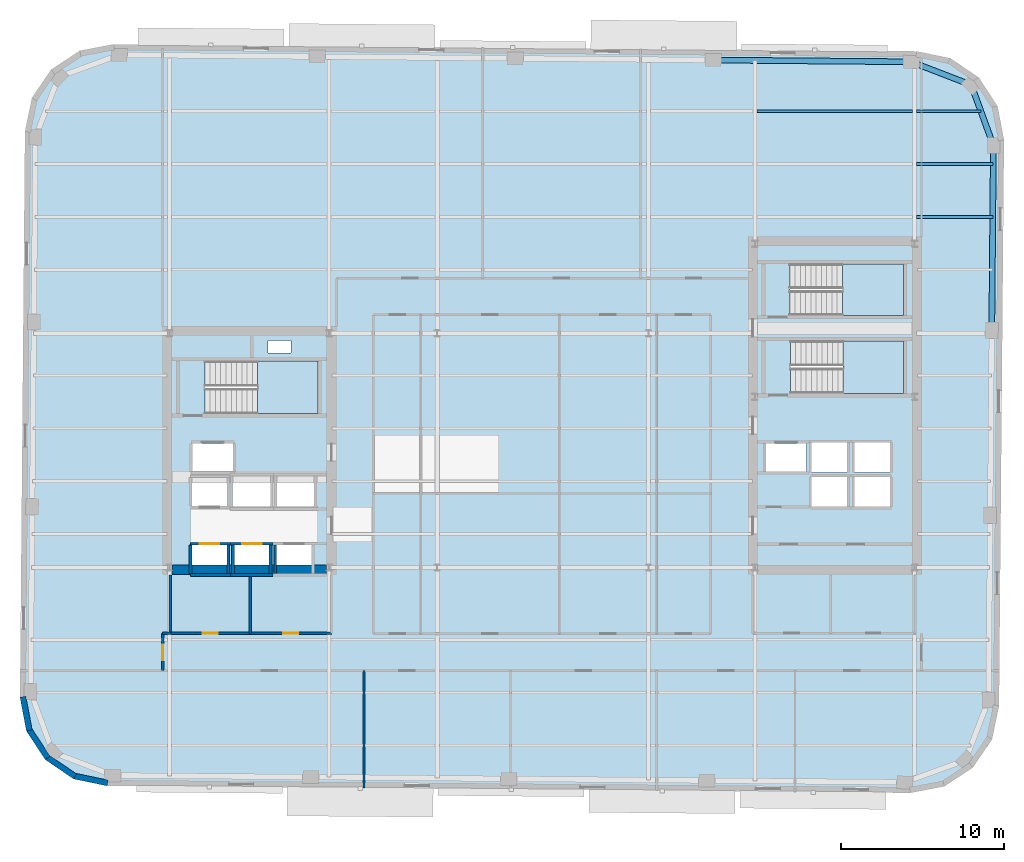
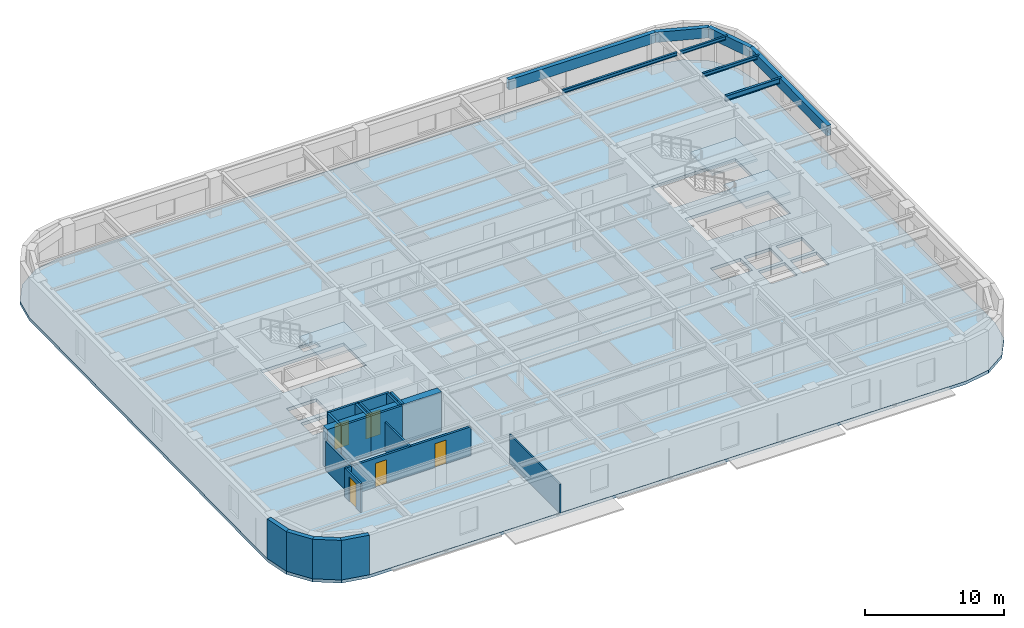
# One storey, part 3 of 11: 20 walls, 8 beams, 5 doors, 4 slabs, 5 openings, 3 elements without a shape of their own.
"""IFC4 building model written with IfcOpenShell, lengths in metres."""

from ifc_helpers import new_model, si_unit, direction, frame, frame_2d, origin, origin_2d, place, context, subcontext, project, spatial, polyline, rectangle, hollow_rectangle, i_section, outline, extrude, material, layer, layer_set, material_profile, profile_set, type_object, element, fill, aggregate, save


model = new_model("IFC4")

# Units and contexts
model_context = context("Model", 3, precision=1e-05, world=origin(), true_north=direction((0.0, 1.0)))
body_context = subcontext(model_context, "Body", "Model", "MODEL_VIEW")
ifc_project = project(units=[si_unit("LENGTHUNIT", "METRE"), si_unit("AREAUNIT", "SQUARE_METRE"), si_unit("VOLUMEUNIT", "CUBIC_METRE"), si_unit("PLANEANGLEUNIT", "RADIAN"), si_unit("MASSUNIT", "GRAM", prefix="KILO")], contexts=[model_context])

# Site, building, storey
site_placement = place(None, origin())
site = spatial("IfcSite", under=ifc_project, at=site_placement, CompositionType="ELEMENT")
building_placement = place(site_placement, origin())
building = spatial("IfcBuilding", under=site, at=building_placement, Name="Kolvaren Arena Tower", CompositionType="ELEMENT")
storey_placement = place(building_placement, frame((0.0, 0.0, 173.449951171875)))
storey = spatial("IfcBuildingStorey", under=building, at=storey_placement, Name="L41", CompositionType="ELEMENT", Elevation=173.449951171875)

# Beams
ifc_material_1 = material(Name="Steel CSA G40.21 350W", Category="steel")
ifc_material_profile_1 = material_profile(ifc_material_1, i_section(OverallWidth=0.193115234375, OverallDepth=0.462890625, WebThickness=0.0107421875, FlangeThickness=0.0205078125, FilletRadius=0.012939453125, at=origin_2d()), Name="W460x113")
ifc_profile_set_1 = profile_set([ifc_material_profile_1], Name="Steel CSA G40.21 350W")
beam_type_1 = type_object("IfcBeamType", Name="BEAM-F2", PredefinedType="BEAM", material=ifc_profile_set_1)
beam_1_placement = place(storey_placement, frame((60.4775390625, 41.0, 3.24853515625), z_axis=(1.0, 0.0, 0.0), x_axis=(0.0, 1.0, 0.0)))
element("IfcBeam", 1, at=beam_1_placement, inside=storey, type_object=beam_type_1, Name="Composite Floor Beam (L41)", PredefinedType="BEAM", context=body_context, shape_type="SweptSolid", body=[
    extrude(i_section(OverallWidth=0.193115234375, OverallDepth=0.462890625, WebThickness=0.0107421875, FlangeThickness=0.0205078125, FilletRadius=0.012939453125, at=origin_2d()), origin(), (0.0, 0.0, 1.0), 4.681884765625),
])
ifc_material_profile_2 = material_profile(ifc_material_1, i_section(OverallWidth=0.1669921875, OverallDepth=0.31689453125, WebThickness=0.007568359375, FlangeThickness=0.01318359375, FilletRadius=0.010009765625, at=origin_2d()), Name="W310x52")
ifc_profile_set_2 = profile_set([ifc_material_profile_2], Name="Steel CSA G40.21 350W")
beam_type_2 = type_object("IfcBeamType", Name="JOIST-02", PredefinedType="JOIST", material=ifc_profile_set_2)
beam_2_placement = place(storey_placement, frame((60.4775390625, 44.25, 3.321533203125), z_axis=(1.0, 0.0, 0.0), x_axis=(0.0, 1.0, 0.0)))
element("IfcBeam", 2, at=beam_2_placement, inside=storey, type_object=beam_type_2, Name="Composite Floor Joist (L41)", PredefinedType="JOIST", context=body_context, shape_type="SweptSolid", body=[
    extrude(i_section(OverallWidth=0.1669921875, OverallDepth=0.31689453125, WebThickness=0.007568359375, FlangeThickness=0.01318359375, FilletRadius=0.010009765625, at=origin_2d()), origin(), (0.0, 0.0, 1.0), 4.710205078125),
])
beam_3_placement = place(storey_placement, frame((50.677490234375, 47.5, 3.321533203125), z_axis=(1.0, 0.0, 0.0), x_axis=(0.0, 1.0, 0.0)))
element("IfcBeam", 3, at=beam_3_placement, inside=storey, type_object=beam_type_2, Name="Composite Floor Joist (L41)", PredefinedType="JOIST", context=body_context, shape_type="SweptSolid", body=[
    extrude(i_section(OverallWidth=0.1669921875, OverallDepth=0.31689453125, WebThickness=0.007568359375, FlangeThickness=0.01318359375, FilletRadius=0.010009765625, at=origin_2d()), origin(), (0.0, 0.0, 1.0), 9.544921875),
])
beam_4_placement = place(storey_placement, frame((60.4775390625, 47.5, 3.321533203125), z_axis=(1.0, 0.0, 0.0), x_axis=(0.0, 1.0, 0.0)))
element("IfcBeam", 4, at=beam_4_placement, inside=storey, type_object=beam_type_2, Name="Composite Floor Joist (L41)", PredefinedType="JOIST", context=body_context, shape_type="SweptSolid", body=[
    extrude(i_section(OverallWidth=0.1669921875, OverallDepth=0.31689453125, WebThickness=0.007568359375, FlangeThickness=0.01318359375, FilletRadius=0.010009765625, at=origin_2d()), origin(), (0.0, 0.0, 1.0), 3.950439453125),
])
ifc_material_2 = material(Name="Steel CSA G40.21 350WT", Category="steel")
ifc_material_profile_3 = material_profile(ifc_material_2, hollow_rectangle(XDim=0.35009765625, YDim=0.89990234375, WallThickness=0.02001953125, at=origin_2d()), Name="HSS 900x350x20")
ifc_profile_set_3 = profile_set([ifc_material_profile_3], Name="Steel CSA G40.21 350WT")
beam_type_3 = type_object("IfcBeamType", Name="SPAND-01", PredefinedType="SPANDREL", material=ifc_profile_set_3)
beam_5_placement = place(storey_placement, frame((65.098388671875, 34.026123046875, 3.030029296875), z_axis=(0.008741825937, 0.99996178951, 0.0), x_axis=(-0.99996178951, 0.008741825937, 0.0)))
element("IfcBeam", 5, at=beam_5_placement, inside=storey, type_object=beam_type_3, Name="Perimeter Spandrel Beam (L41)", PredefinedType="SPANDREL", context=body_context, shape_type="SweptSolid", body=[
    extrude(hollow_rectangle(XDim=0.35009765625, YDim=0.89990234375, WallThickness=0.02001953125, at=origin_2d()), origin(), (0.0, 0.0, 1.0), 11.36669921875),
])
for number, where, z_axis, x_axis, name in (
    (6, (65.19775390625, 45.392333984375, 3.030029296875), (-0.343059102458, 0.939313819882, 0.0), (-0.939313819882, -0.343059102458, 0.0), "Perimeter Spandrel Beam (L41)"),
    (7, (63.8388671875, 49.113037109375, 3.030029296875), (-0.933189846698, 0.359383792094, 0.0), (-0.359383792094, -0.933189846698, 0.0), "Perimeter Spandrel Beam (L41)"),
):
    element("IfcBeam", number, at=place(storey_placement, frame(where, z_axis=z_axis, x_axis=x_axis)), inside=storey, type_object=beam_type_3, Name=name, PredefinedType="SPANDREL", context=body_context, shape_type="SweptSolid", body=[
        extrude(hollow_rectangle(XDim=0.35009765625, YDim=0.89990234375, WallThickness=0.02001953125, at=origin_2d()), origin(), (0.0, 0.0, 1.0), 3.961181640625),
    ])
beam_6_placement = place(storey_placement, frame((60.142333984375, 50.53662109375, 3.030029296875), z_axis=(-0.99996195503, 0.008722871848, 0.0), x_axis=(-0.008722871848, -0.99996195503, 0.0)))
element("IfcBeam", 8, at=beam_6_placement, inside=storey, type_object=beam_type_3, Name="Perimeter Spandrel Beam (L41)", PredefinedType="SPANDREL", context=body_context, shape_type="SweptSolid", body=[
    extrude(hollow_rectangle(XDim=0.35009765625, YDim=0.89990234375, WallThickness=0.02001953125, at=origin_2d()), origin(), (0.0, 0.0, 1.0), 12.175048828125),
])

# Stair, slab
ifc_material_3 = material(Name="Concrete 45 MPa", Category="concrete")
stair_type_1 = type_object("IfcStairType", Name="STAIR-CORE-165", PredefinedType="HALF_TURN_STAIR", material=ifc_material_3)
stair_1_placement = place(storey_placement, origin())
stair_1 = element("IfcStair", 9, at=stair_1_placement, inside=storey, type_object=stair_type_1, Name="L41 ST-W1", PredefinedType="HALF_TURN_STAIR")
ifc_layer_1 = layer(ifc_material_3, 0.199951171875)
ifc_layer_set_1 = layer_set([ifc_layer_1], Name="Concrete 45 MPa")
slab_type_1 = type_object("IfcSlabType", Name="SLAB-LAND", PredefinedType="LANDING", material=ifc_layer_set_1)
slab_1_placement = place(storey_placement, frame((0.0, 0.0, 1.675048828125)))
slab_1 = element("IfcSlab", 10, at=slab_1_placement, type_object=slab_type_1, Name="ST-W1 landing 1", PredefinedType="LANDING", context=body_context, shape_type="SweptSolid", body=[
    extrude(outline(polyline([(19.9599609375, 28.89990234375), (23.659912109375, 28.89990234375), (23.659912109375, 32.1298828125), (19.9599609375, 32.1298828125), (19.9599609375, 28.89990234375)])), origin(), (0.0, 0.0, 1.0), 0.199951171875),
])
aggregate(stair_1, [slab_1])

stair_2_placement = place(storey_placement, origin())
stair_2 = element("IfcStair", 11, at=stair_2_placement, inside=storey, type_object=stair_type_1, Name="L41 ST-E1", PredefinedType="HALF_TURN_STAIR")
slab_2_placement = place(storey_placement, frame((0.0, 0.0, 1.675048828125)))
slab_2 = element("IfcSlab", 12, at=slab_2_placement, type_object=slab_type_1, Name="ST-E1 landing 1", PredefinedType="LANDING", context=body_context, shape_type="SweptSolid", body=[
    extrude(outline(polyline([(55.9599609375, 30.14990234375), (59.659912109375, 30.14990234375), (59.659912109375, 33.3798828125), (55.9599609375, 33.3798828125), (55.9599609375, 30.14990234375)])), origin(), (0.0, 0.0, 1.0), 0.199951171875),
])
aggregate(stair_2, [slab_2])

stair_type_2 = type_object("IfcStairType", Name="STAIR-CORE-150", PredefinedType="HALF_TURN_STAIR", material=ifc_material_3)
stair_3_placement = place(storey_placement, origin())
stair_3 = element("IfcStair", 13, at=stair_3_placement, inside=storey, type_object=stair_type_2, Name="L41 ST-E2", PredefinedType="HALF_TURN_STAIR")
slab_3_placement = place(storey_placement, frame((0.0, 0.0, 1.675048828125)))
slab_3 = element("IfcSlab", 14, at=slab_3_placement, type_object=slab_type_1, Name="ST-E2 landing 1", PredefinedType="LANDING", context=body_context, shape_type="SweptSolid", body=[
    extrude(outline(polyline([(55.919921875, 34.949951171875), (59.659912109375, 34.949951171875), (59.659912109375, 38.10009765625), (55.919921875, 38.10009765625), (55.919921875, 34.949951171875)])), origin(), (0.0, 0.0, 1.0), 0.199951171875),
])
aggregate(stair_3, [slab_3])

# Slab
ifc_layer_2 = layer(ifc_material_3, 0.27001953125)
ifc_layer_set_2 = layer_set([ifc_layer_2], Name="Concrete 45 MPa")
slab_type_2 = type_object("IfcSlabType", Name="SLAB-OFF2", PredefinedType="FLOOR", material=ifc_layer_set_2)
slab_4_placement = place(storey_placement, frame((0.0, 0.0, -0.27001953125)))
element("IfcSlab", 15, at=slab_4_placement, inside=storey, type_object=slab_type_2, Name="L41 Primary Structural Slab", PredefinedType="FLOOR", context=body_context, shape_type="SweptSolid", body=[
    extrude(outline(polyline([(60.10009765625, 5.585205078125), (62.170166015625, 5.978271484375), (63.93212890625, 7.133544921875), (65.117919921875, 8.875244140625), (65.547119140625, 10.93798828125), (65.8505859375, 45.73681640625), (65.457763671875, 47.806640625), (64.302490234375, 49.568603515625), (62.560791015625, 50.75439453125), (60.498046875, 51.18359375), (11.099853515625, 51.61474609375), (9.02978515625, 51.2216796875), (7.267822265625, 50.06640625), (6.08203125, 48.32470703125), (5.653076171875, 46.261962890625), (5.349365234375, 11.46337890625), (5.7421875, 9.393310546875), (6.8974609375, 7.63134765625), (8.63916015625, 6.445556640625), (10.701904296875, 6.016357421875), (60.10009765625, 5.585205078125)]), holes=[polyline([(15.93505859375, 19.0849609375), (15.93505859375, 20.81494140625), (18.06494140625, 20.81494140625), (18.06494140625, 19.0849609375), (15.93505859375, 19.0849609375)]), polyline([(18.534912109375, 19.0849609375), (18.534912109375, 20.81494140625), (20.6650390625, 20.81494140625), (20.6650390625, 19.0849609375), (18.534912109375, 19.0849609375)]), polyline([(21.135009765625, 19.0849609375), (21.135009765625, 20.81494140625), (23.264892578125, 20.81494140625), (23.264892578125, 19.0849609375), (21.135009765625, 19.0849609375)]), polyline([(18.4599609375, 23.135009765625), (18.4599609375, 25.06494140625), (20.739990234375, 25.06494140625), (20.739990234375, 23.135009765625), (18.4599609375, 23.135009765625)]), polyline([(21.159912109375, 23.135009765625), (21.159912109375, 25.06494140625), (23.43994140625, 25.06494140625), (23.43994140625, 23.135009765625), (21.159912109375, 23.135009765625)]), polyline([(54.030029296875, 23.18505859375), (54.030029296875, 25.014892578125), (56.2099609375, 25.014892578125), (56.2099609375, 23.18505859375), (54.030029296875, 23.18505859375)]), polyline([(56.669921875, 23.18505859375), (56.669921875, 25.014892578125), (58.85009765625, 25.014892578125), (58.85009765625, 23.18505859375), (56.669921875, 23.18505859375)]), polyline([(15.93505859375, 23.235107421875), (15.93505859375, 24.965087890625), (18.06494140625, 24.965087890625), (18.06494140625, 23.235107421875), (15.93505859375, 23.235107421875)]), polyline([(54.030029296875, 25.284912109375), (54.030029296875, 27.114990234375), (56.2099609375, 27.114990234375), (56.2099609375, 25.284912109375), (54.030029296875, 25.284912109375)]), polyline([(56.669921875, 25.284912109375), (56.669921875, 27.114990234375), (58.85009765625, 27.114990234375), (58.85009765625, 25.284912109375), (56.669921875, 25.284912109375)]), polyline([(15.9599609375, 25.3349609375), (15.9599609375, 27.06494140625), (18.43994140625, 27.06494140625), (18.43994140625, 25.3349609375), (15.9599609375, 25.3349609375)]), polyline([(51.219970703125, 25.3349609375), (51.219970703125, 27.06494140625), (53.699951171875, 27.06494140625), (53.699951171875, 25.3349609375), (51.219970703125, 25.3349609375)]), polyline([(16.735107421875, 28.89990234375), (16.735107421875, 32.1298828125), (23.659912109375, 32.1298828125), (23.659912109375, 28.89990234375), (16.735107421875, 28.89990234375)]), polyline([(52.735107421875, 30.14990234375), (52.735107421875, 33.3798828125), (59.659912109375, 33.3798828125), (59.659912109375, 30.14990234375), (52.735107421875, 30.14990234375)]), polyline([(20.60009765625, 32.6201171875), (20.60009765625, 33.39990234375), (22.0, 33.39990234375), (22.0, 32.6201171875), (20.60009765625, 32.6201171875)]), polyline([(52.695068359375, 34.949951171875), (52.695068359375, 38.10009765625), (59.659912109375, 38.10009765625), (59.659912109375, 34.949951171875), (52.695068359375, 34.949951171875)])]), origin(), (0.0, 0.0, 1.0), 0.27001953125),
])

# Wall, opening, door
ifc_material_4 = material(Name="Gypsum board acoustic assembly", Category="gypsum")
ifc_layer_3 = layer(ifc_material_4, 0.159912109375)
ifc_layer_set_3 = layer_set([ifc_layer_3], Name="Gypsum board acoustic assembly")
wall_type_1 = type_object("IfcWallType", Name="CORR-160", PredefinedType="PARTITIONING", material=ifc_layer_set_3)
wall_1_placement = place(storey_placement, frame((14.1201171875, 13.10009765625, 0.0), z_axis=(0.0, 0.0, 1.0), x_axis=(0.0, 1.0, 0.0)))
wall_1 = element("IfcWall", 16, at=wall_1_placement, inside=storey, type_object=wall_type_1, Name="Interior Partition Wall (L41)", PredefinedType="PARTITIONING", context=body_context, shape_type="SweptSolid", body=[
    extrude(rectangle(XDim=2.2998046875, YDim=0.159912109375, at=frame_2d((1.14990234375, 0.0))), origin(), (0.0, 0.0, 1.0), 2.5400390625),
])
opening_1_placement = place(wall_1_placement, frame((0.64990234375, 0.0, 0.0)))
opening_1 = element("IfcOpeningElement", 17, at=opening_1_placement, cuts=wall_1, Name="Opening D05", PredefinedType="OPENING", context=body_context, shape_type="SweptSolid", body=[
    extrude(rectangle(XDim=0.949951171875, YDim=2.14990234375, at=frame_2d((0.47509765625, 1.074951171875))), frame((0.0, 0.08984375, 0.0), z_axis=(0.0, -1.0, 0.0), x_axis=(1.0, 0.0, 0.0)), (0.0, 0.0, 1.0), 0.179931640625),
])
ifc_material_5 = material(Name="Solid-core oak acoustic office door", Category="wood")
door_type_1 = type_object("IfcDoorType", Name="DOOR-OF-095", OperationType="NOTDEFINED", PredefinedType="DOOR", material=ifc_material_5)
door_1_placement = place(opening_1_placement, origin())
door_1 = element("IfcDoor", 18, at=door_1_placement, inside=storey, type_object=door_type_1, Name="West Wing Office Door (L41)", OperationType="SINGLE_SWING_LEFT", OverallHeight=2.14990234375, OverallWidth=0.949951171875, PredefinedType="DOOR", context=body_context, shape_type="SweptSolid", body=[
    extrude(rectangle(XDim=0.949951171875, YDim=2.14990234375, at=frame_2d((0.47509765625, 1.074951171875))), frame((0.0, 0.02490234375, 0.0), z_axis=(0.0, -1.0, 0.0), x_axis=(1.0, 0.0, 0.0)), (0.0, 0.0, 1.0), 0.050048828125),
])
fill(opening_1, door_1)

# Walls
wall_2_placement = place(storey_placement, frame((14.1201171875, 15.39990234375, 0.0), z_axis=(0.0, 0.0, 1.0), x_axis=(1.0, 0.0, 0.0)))
element("IfcWall", 19, at=wall_2_placement, inside=storey, type_object=wall_type_1, Name="Interior Partition Wall (L41)", PredefinedType="PARTITIONING", context=body_context, shape_type="SweptSolid", body=[
    extrude(rectangle(XDim=0.5, YDim=0.159912109375, at=frame_2d((0.25, 0.0))), origin(), (0.0, 0.0, 1.0), 2.5400390625),
])
ifc_material_6 = material(Name="Concrete 60 MPa", Category="concrete")
ifc_layer_4 = layer(ifc_material_6, 0.60009765625)
ifc_layer_set_4 = layer_set([ifc_layer_4], Name="Concrete 60 MPa")
wall_type_2 = type_object("IfcWallType", Name="CWALL-600", PredefinedType="SHEAR", material=ifc_layer_set_4)
wall_3_placement = place(storey_placement, frame((14.699951171875, 19.300048828125, -0.27001953125), z_axis=(0.0, 0.0, 1.0), x_axis=(1.0, 0.0, 0.0)))
element("IfcWall", 20, at=wall_3_placement, inside=storey, type_object=wall_type_2, Name="Core Shear Wall WC-SOUTH (L41)", PredefinedType="SHEAR", context=body_context, shape_type="SweptSolid", body=[
    extrude(rectangle(XDim=9.5, YDim=0.60009765625, at=frame_2d((4.75, 0.0))), origin(), (0.0, 0.0, 1.0), 3.75),
])
ifc_material_7 = material(Name="Precast concrete C50/60", Category="concrete")
ifc_layer_5 = layer(ifc_material_7, 0.360107421875)
ifc_layer_set_5 = layer_set([ifc_layer_5], Name="Precast concrete C50/60")
wall_type_3 = type_object("IfcWallType", Name="EXT-PIER2", PredefinedType="SOLIDWALL", material=ifc_layer_set_5)
for number, where, z_axis, x_axis, name in (
    (21, (5.919189453125, 9.427001953125, 0.0), (0.0, 0.0, 1.0), (-0.186568933123, 0.982441872679, 0.0), "Exterior Precast Masonry-Frame Wall (L41)"),
    (22, (7.048095703125, 7.72998046875, 0.0), (0.0, 0.0, 1.0), (-0.548319766745, 0.836268756678, 0.0), "Exterior Precast Masonry-Frame Wall (L41)"),
    (23, (8.740478515625, 6.59423828125, 0.0), (0.0, 0.0, 1.0), (-0.826609569219, 0.56277581689, 0.0), "Exterior Precast Masonry-Frame Wall (L41)"),
):
    element("IfcWall", number, at=place(storey_placement, frame(where, z_axis=z_axis, x_axis=x_axis)), inside=storey, type_object=wall_type_3, Name=name, PredefinedType="SOLIDWALL", context=body_context, shape_type="SweptSolid", body=[
        extrude(rectangle(XDim=2.10693359375, YDim=0.360107421875, at=frame_2d((1.053466796875, 0.0))), origin(), (0.0, 0.0, 1.0), 3.47998046875),
    ])
wall_4_placement = place(storey_placement, frame((10.73876953125, 6.192626953125, 0.0), z_axis=(0.0, 0.0, 1.0), x_axis=(-0.979059388908, 0.203574833883, 0.0)))
element("IfcWall", 24, at=wall_4_placement, inside=storey, type_object=wall_type_3, Name="Exterior Precast Masonry-Frame Wall (L41)", PredefinedType="SOLIDWALL", context=body_context, shape_type="SweptSolid", body=[
    extrude(rectangle(XDim=2.107177734375, YDim=0.360107421875, at=frame_2d((1.0537109375, 0.0))), origin(), (0.0, 0.0, 1.0), 3.47998046875),
])
ifc_material_8 = material(Name="Gypsum board partition assembly", Category="gypsum")
ifc_layer_6 = layer(ifc_material_8, 0.135009765625)
ifc_layer_set_6 = layer_set([ifc_layer_6], Name="Gypsum board partition assembly")
wall_type_4 = type_object("IfcWallType", Name="PART-135", PredefinedType="PARTITIONING", material=ifc_layer_set_6)
wall_5_placement = place(storey_placement, frame((26.5, 5.87841796875, 0.0), z_axis=(0.0, 0.0, 1.0), x_axis=(0.0, 1.0, 0.0)))
element("IfcWall", 25, at=wall_5_placement, inside=storey, type_object=wall_type_4, Name="Interior Partition Wall (L41)", PredefinedType="PARTITIONING", context=body_context, shape_type="SweptSolid", body=[
    extrude(rectangle(XDim=7.2216796875, YDim=0.135009765625, at=frame_2d((3.61083984375, 0.0))), origin(), (0.0, 0.0, 1.0), 2.5400390625),
])

# Wall, opening, door
ifc_layer_7 = layer(ifc_material_3, 0.25)
ifc_layer_set_7 = layer_set([ifc_layer_7], Name="Concrete 45 MPa")
wall_type_5 = type_object("IfcWallType", Name="SHAFT-250", PredefinedType="SOLIDWALL", material=ifc_layer_set_7)
wall_6_placement = place(storey_placement, frame((15.844970703125, 20.905029296875, 0.0), z_axis=(0.0, 0.0, 1.0), x_axis=(1.0, 0.0, 0.0)))
wall_6 = element("IfcWall", 26, at=wall_6_placement, inside=storey, type_object=wall_type_5, Name="Core Shaft Wall (L41)", PredefinedType="SOLIDWALL", context=body_context, shape_type="SweptSolid", body=[
    extrude(rectangle(XDim=2.455078125, YDim=0.179931640625, at=frame_2d((1.2275390625, 0.0))), origin(), (0.0, 0.0, 1.0), 3.47998046875),
])
opening_2_placement = place(wall_6_placement, frame((0.554931640625, 0.0, 0.0)))
opening_2 = element("IfcOpeningElement", 27, at=opening_2_placement, cuts=wall_6, Name="Opening LD1", PredefinedType="OPENING", context=body_context, shape_type="SweptSolid", body=[
    extrude(rectangle(XDim=1.199951171875, YDim=2.199951171875, at=frame_2d((0.60009765625, 1.10009765625))), frame((0.0, 0.099853515625, 0.0), z_axis=(0.0, -1.0, 0.0), x_axis=(1.0, 0.0, 0.0)), (0.0, 0.0, 1.0), 0.199951171875),
])
ifc_material_9 = material(Name="Stainless steel passenger lift landing door", Category="steel")
door_type_2 = type_object("IfcDoorType", Name="DOOR-LD-120", OperationType="DOUBLE_DOOR_SLIDING", PredefinedType="DOOR", material=ifc_material_9)
door_2_placement = place(opening_2_placement, origin())
door_2 = element("IfcDoor", 28, at=door_2_placement, inside=storey, type_object=door_type_2, Name="Lift EL-MR1 Landing Door (L41)", OperationType="DOUBLE_DOOR_SLIDING", OverallHeight=2.199951171875, OverallWidth=1.199951171875, PredefinedType="DOOR", context=body_context, shape_type="SweptSolid", body=[
    extrude(rectangle(XDim=1.199951171875, YDim=2.199951171875, at=frame_2d((0.60009765625, 1.10009765625))), frame((0.0, 0.02490234375, 0.0), z_axis=(0.0, -1.0, 0.0), x_axis=(1.0, 0.0, 0.0)), (0.0, 0.0, 1.0), 0.050048828125),
])
fill(opening_2, door_2)

# Walls
wall_7_placement = place(storey_placement, frame((15.844970703125, 18.9951171875, 0.0), z_axis=(0.0, 0.0, 1.0), x_axis=(1.0, 0.0, 0.0)))
element("IfcWall", 29, at=wall_7_placement, inside=storey, type_object=wall_type_5, Name="Core Shaft Wall (L41)", PredefinedType="SOLIDWALL", context=body_context, shape_type="SweptSolid", body=[
    extrude(rectangle(XDim=2.455078125, YDim=0.179931640625, at=frame_2d((1.2275390625, 0.0))), origin(), (0.0, 0.0, 1.0), 3.47998046875),
])
for number, where, z_axis, x_axis, name in (
    (30, (15.844970703125, 19.0849609375, 0.0), (0.0, 0.0, 1.0), (0.0, 1.0, 0.0), "Core Shaft Wall (L41)"),
    (31, (18.155029296875, 19.0849609375, 0.0), (0.0, 0.0, 1.0), (0.0, 1.0, 0.0), "Core Shaft Wall (L41)"),
):
    element("IfcWall", number, at=place(storey_placement, frame(where, z_axis=z_axis, x_axis=x_axis)), inside=storey, type_object=wall_type_5, Name=name, PredefinedType="SOLIDWALL", context=body_context, shape_type="SweptSolid", body=[
        extrude(rectangle(XDim=1.72998046875, YDim=0.179931640625, at=frame_2d((0.864990234375, 0.0))), origin(), (0.0, 0.0, 1.0), 3.47998046875),
    ])

# Wall, opening, door
wall_8_placement = place(storey_placement, frame((18.300048828125, 20.905029296875, 0.0), z_axis=(0.0, 0.0, 1.0), x_axis=(1.0, 0.0, 0.0)))
wall_8 = element("IfcWall", 32, at=wall_8_placement, inside=storey, type_object=wall_type_5, Name="Core Shaft Wall (L41)", PredefinedType="SOLIDWALL", context=body_context, shape_type="SweptSolid", body=[
    extrude(rectangle(XDim=2.599853515625, YDim=0.179931640625, at=frame_2d((1.2998046875, 0.0))), origin(), (0.0, 0.0, 1.0), 3.47998046875),
])
opening_3_placement = place(wall_8_placement, frame((0.699951171875, 0.0, 0.0)))
opening_3 = element("IfcOpeningElement", 33, at=opening_3_placement, cuts=wall_8, Name="Opening LD1", PredefinedType="OPENING", context=body_context, shape_type="SweptSolid", body=[
    extrude(rectangle(XDim=1.199951171875, YDim=2.199951171875, at=frame_2d((0.60009765625, 1.10009765625))), frame((0.0, 0.099853515625, 0.0), z_axis=(0.0, -1.0, 0.0), x_axis=(1.0, 0.0, 0.0)), (0.0, 0.0, 1.0), 0.199951171875),
])
door_3_placement = place(opening_3_placement, origin())
door_3 = element("IfcDoor", 34, at=door_3_placement, inside=storey, type_object=door_type_2, Name="Lift EL-MR2 Landing Door (L41)", OperationType="DOUBLE_DOOR_SLIDING", OverallHeight=2.199951171875, OverallWidth=1.199951171875, PredefinedType="DOOR", context=body_context, shape_type="SweptSolid", body=[
    extrude(rectangle(XDim=1.199951171875, YDim=2.199951171875, at=frame_2d((0.60009765625, 1.10009765625))), frame((0.0, 0.02490234375, 0.0), z_axis=(0.0, -1.0, 0.0), x_axis=(1.0, 0.0, 0.0)), (0.0, 0.0, 1.0), 0.050048828125),
])
fill(opening_3, door_3)

# Walls
wall_9_placement = place(storey_placement, frame((18.300048828125, 18.9951171875, 0.0), z_axis=(0.0, 0.0, 1.0), x_axis=(1.0, 0.0, 0.0)))
element("IfcWall", 35, at=wall_9_placement, inside=storey, type_object=wall_type_5, Name="Core Shaft Wall (L41)", PredefinedType="SOLIDWALL", context=body_context, shape_type="SweptSolid", body=[
    extrude(rectangle(XDim=2.599853515625, YDim=0.179931640625, at=frame_2d((1.2998046875, 0.0))), origin(), (0.0, 0.0, 1.0), 3.47998046875),
])
for number, where, z_axis, x_axis, name in (
    (36, (18.445068359375, 19.0849609375, 0.0), (0.0, 0.0, 1.0), (0.0, 1.0, 0.0), "Core Shaft Wall (L41)"),
    (37, (20.7548828125, 19.0849609375, 0.0), (0.0, 0.0, 1.0), (0.0, 1.0, 0.0), "Core Shaft Wall (L41)"),
    (38, (21.044921875, 19.0849609375, 0.0), (0.0, 0.0, 1.0), (0.0, 1.0, 0.0), "Core Shaft Wall (L41)"),
):
    element("IfcWall", number, at=place(storey_placement, frame(where, z_axis=z_axis, x_axis=x_axis)), inside=storey, type_object=wall_type_5, Name=name, PredefinedType="SOLIDWALL", context=body_context, shape_type="SweptSolid", body=[
        extrude(rectangle(XDim=1.72998046875, YDim=0.179931640625, at=frame_2d((0.864990234375, 0.0))), origin(), (0.0, 0.0, 1.0), 3.47998046875),
    ])
ifc_material_10 = material(Name="Moisture-resistant gypsum assembly", Category="gypsum")
ifc_layer_8 = layer(ifc_material_10, 0.14990234375)
ifc_layer_set_8 = layer_set([ifc_layer_8], Name="Moisture-resistant gypsum assembly")
wall_type_6 = type_object("IfcWallType", Name="WETW-150", PredefinedType="PARTITIONING", material=ifc_layer_set_8)
wall_10_placement = place(storey_placement, frame((19.5, 15.39990234375, 0.0), z_axis=(0.0, 0.0, 1.0), x_axis=(0.0, 1.0, 0.0)))
element("IfcWall", 39, at=wall_10_placement, inside=storey, type_object=wall_type_6, Name="Interior Partition Wall (L41)", PredefinedType="PARTITIONING", context=body_context, shape_type="SweptSolid", body=[
    extrude(rectangle(XDim=3.580078125, YDim=0.14990234375, at=frame_2d((1.7900390625, 0.0))), origin(), (0.0, 0.0, 1.0), 2.5400390625),
])

# Wall, openings, doors
wall_11_placement = place(storey_placement, frame((14.60009765625, 15.39990234375, 0.0), z_axis=(0.0, 0.0, 1.0), x_axis=(1.0, 0.0, 0.0)))
wall_11 = element("IfcWall", 40, at=wall_11_placement, inside=storey, type_object=wall_type_6, Name="Interior Partition Wall (L41)", PredefinedType="PARTITIONING", context=body_context, shape_type="SweptSolid", body=[
    extrude(rectangle(XDim=9.89990234375, YDim=0.179931640625, at=frame_2d((4.949951171875, 0.0))), origin(), (0.0, 0.0, 1.0), 2.5400390625),
])
opening_4_placement = place(wall_11_placement, frame((1.989990234375, 0.0, 0.0)))
opening_4 = element("IfcOpeningElement", 41, at=opening_4_placement, cuts=wall_11, Name="Opening D07", PredefinedType="OPENING", context=body_context, shape_type="SweptSolid", body=[
    extrude(rectangle(XDim=0.919921875, YDim=2.10009765625, at=frame_2d((0.4599609375, 1.050048828125))), frame((0.0, 0.099853515625, 0.0), z_axis=(0.0, -1.0, 0.0), x_axis=(1.0, 0.0, 0.0)), (0.0, 0.0, 1.0), 0.199951171875),
])
opening_5_placement = place(wall_11_placement, frame((6.93994140625, 0.0, 0.0)))
opening_5 = element("IfcOpeningElement", 42, at=opening_5_placement, cuts=wall_11, Name="Opening D07", PredefinedType="OPENING", context=body_context, shape_type="SweptSolid", body=[
    extrude(rectangle(XDim=0.919921875, YDim=2.10009765625, at=frame_2d((0.4599609375, 1.050048828125))), frame((0.0, 0.099853515625, 0.0), z_axis=(0.0, -1.0, 0.0), x_axis=(1.0, 0.0, 0.0)), (0.0, 0.0, 1.0), 0.199951171875),
])
ifc_material_11 = material(Name="Laminate universal washroom door", Category="wood")
door_type_3 = type_object("IfcDoorType", Name="DOOR-WC-092", OperationType="NOTDEFINED", PredefinedType="DOOR", material=ifc_material_11)
door_4_placement = place(opening_4_placement, origin())
door_4 = element("IfcDoor", 43, at=door_4_placement, inside=storey, type_object=door_type_3, Name="Universal Barrier-Free Washroom Door (L41)", OperationType="SINGLE_SWING_LEFT", OverallHeight=2.10009765625, OverallWidth=0.919921875, PredefinedType="DOOR", context=body_context, shape_type="SweptSolid", body=[
    extrude(rectangle(XDim=0.919921875, YDim=2.10009765625, at=frame_2d((0.4599609375, 1.050048828125))), frame((0.0, 0.02490234375, 0.0), z_axis=(0.0, -1.0, 0.0), x_axis=(1.0, 0.0, 0.0)), (0.0, 0.0, 1.0), 0.050048828125),
])
fill(opening_4, door_4)
door_5_placement = place(opening_5_placement, origin())
door_5 = element("IfcDoor", 44, at=door_5_placement, inside=storey, type_object=door_type_3, Name="Gender-Neutral Washroom Door (L41)", OperationType="SINGLE_SWING_RIGHT", OverallHeight=2.10009765625, OverallWidth=0.919921875, PredefinedType="DOOR", context=body_context, shape_type="SweptSolid", body=[
    extrude(rectangle(XDim=0.919921875, YDim=2.10009765625, at=frame_2d((0.4599609375, 1.050048828125))), frame((0.0, 0.02490234375, 0.0), z_axis=(0.0, -1.0, 0.0), x_axis=(1.0, 0.0, 0.0)), (0.0, 0.0, 1.0), 0.050048828125),
])
fill(opening_5, door_5)

# Wall
wall_12_placement = place(storey_placement, frame((14.60009765625, 15.39990234375, 0.0), z_axis=(0.0, 0.0, 1.0), x_axis=(0.0, 1.0, 0.0)))
element("IfcWall", 45, at=wall_12_placement, inside=storey, type_object=wall_type_6, Name="Interior Partition Wall (L41)", PredefinedType="PARTITIONING", context=body_context, shape_type="SweptSolid", body=[
    extrude(rectangle(XDim=3.580078125, YDim=0.14990234375, at=frame_2d((1.7900390625, 0.0))), origin(), (0.0, 0.0, 1.0), 2.5400390625),
])

save(model, "model.ifc")
